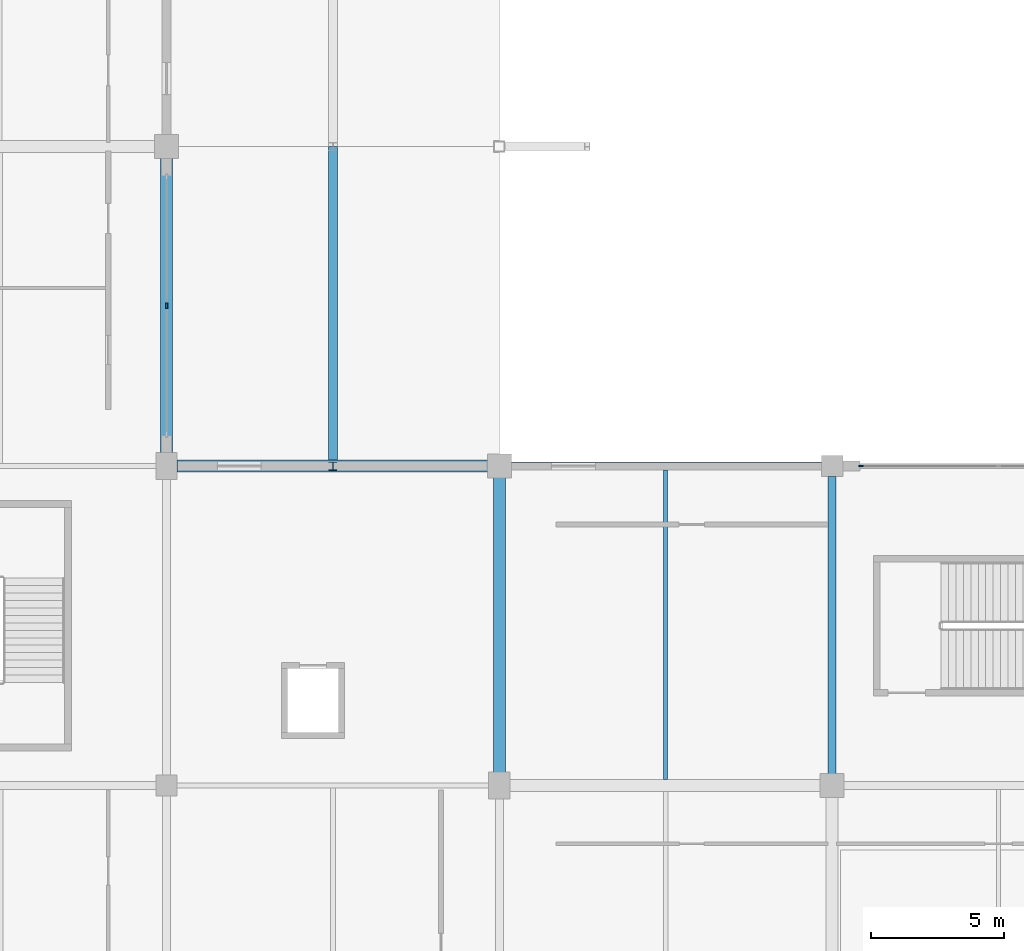
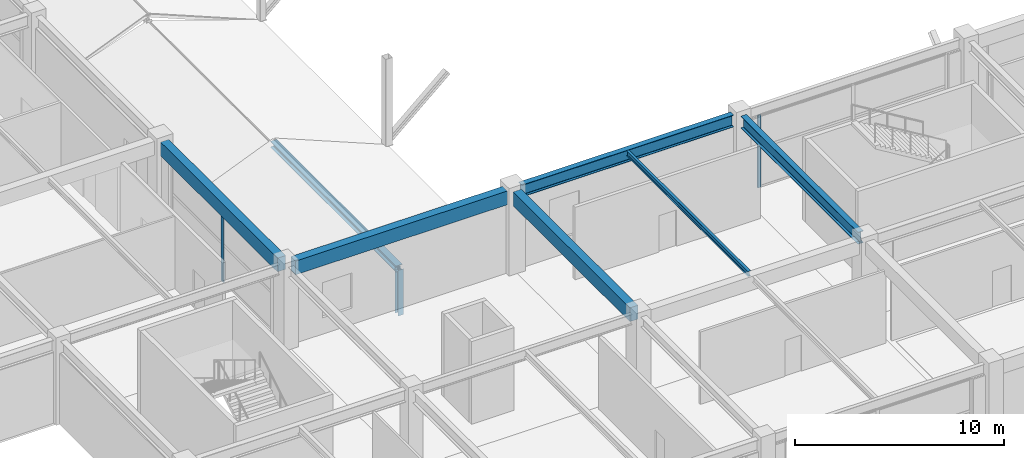
# One storey, part 13 of 116: 6 beams, 4 members, 2 elements without a shape of their own.
"""IFC4 building model written with IfcOpenShell, lengths in metres."""

from ifc_helpers import new_model, si_unit, direction, frame, origin, origin_2d, place, context, subcontext, project, spatial, rectangle, i_section, extrude, material, layer, layer_set, material_profile, profile_set, type_object, element, aggregate, save


model = new_model("IFC4")

# Units and contexts
model_context = context("Model", 3, precision=1e-05, world=origin(), true_north=direction((0.0, 1.0)))
body_context = subcontext(model_context, "Body", "Model", "MODEL_VIEW")
ifc_project = project(units=[si_unit("LENGTHUNIT", "METRE"), si_unit("AREAUNIT", "SQUARE_METRE"), si_unit("VOLUMEUNIT", "CUBIC_METRE"), si_unit("PLANEANGLEUNIT", "RADIAN"), si_unit("MASSUNIT", "GRAM", prefix="KILO")], contexts=[model_context])

# Site, building, storey
site_placement = place(None, origin())
site = spatial("IfcSite", under=ifc_project, at=site_placement, CompositionType="ELEMENT")
building_placement = place(site_placement, origin())
building = spatial("IfcBuilding", under=site, at=building_placement, Name="Kazenohara Klinker Stadium", CompositionType="ELEMENT")
storey_placement = place(building_placement, frame((0.0, 0.0, 10.199951171875)))
storey = spatial("IfcBuildingStorey", under=building, at=storey_placement, Name="L02", CompositionType="ELEMENT", Elevation=10.199951171875)

# Beams
ifc_material_1 = material(Name="Steel S355", Category="steel")
ifc_material_profile_1 = material_profile(ifc_material_1, i_section(OverallWidth=0.14990234375, OverallDepth=0.300048828125, WebThickness=0.006591796875, FlangeThickness=0.009033203125, FilletRadius=0.012939453125, at=origin_2d()), Name="H-300x150x6.5x9")
ifc_profile_set_1 = profile_set([ifc_material_profile_1], Name="Steel S355")
beam_type_1 = type_object("IfcBeamType", Name="BM-JST05", PredefinedType="JOIST", material=ifc_profile_set_1)
beam_1_placement = place(storey_placement, frame((55.25, 24.22509765625, 4.670166015625), z_axis=(0.0, 1.0, 0.0), x_axis=(-1.0, 0.0, 0.0)))
element("IfcBeam", 1, at=beam_1_placement, inside=storey, type_object=beam_type_1, Name="Secondary floor joist SJ05 L02 5/C", PredefinedType="JOIST", context=body_context, shape_type="SweptSolid", body=[
    extrude(i_section(OverallWidth=0.14990234375, OverallDepth=0.300048828125, WebThickness=0.006591796875, FlangeThickness=0.009033203125, FilletRadius=0.012939453125, at=origin_2d()), origin(), (0.0, 0.0, 1.0), 11.625),
])
ifc_material_2 = material(Name="Concrete C40/50", Category="concrete")
ifc_material_profile_2 = material_profile(ifc_material_2, rectangle(XDim=0.449951171875, YDim=0.800048828125, at=origin_2d()), Name="RC-BM-450x800")
ifc_profile_set_2 = profile_set([ifc_material_profile_2], Name="Concrete C40/50")
beam_type_2 = type_object("IfcBeamType", Name="BM-RC03", PredefinedType="BEAM", material=ifc_profile_set_2)
beam_2_placement = place(storey_placement, frame((36.89990234375, 36.0, 4.420166015625), z_axis=(1.0, 0.0, 0.0), x_axis=(0.0, 1.0, 0.0)))
element("IfcBeam", 2, at=beam_2_placement, inside=storey, type_object=beam_type_2, Name="Primary girder BG03 L02 4-5/D", PredefinedType="BEAM", context=body_context, shape_type="SweptSolid", body=[
    extrude(rectangle(XDim=0.449951171875, YDim=0.800048828125, at=origin_2d()), origin(), (0.0, 0.0, 1.0), 11.68017578125),
])
for number, where, z_axis, x_axis, name in (
    (3, (36.5, 36.419921875, 4.420166015625), (0.0, 1.0, 0.0), (-1.0, 0.0, 0.0), "Primary girder BG03 L02 4/D-E"),
    (4, (49.0, 24.419921875, 4.420166015625), (0.0, 1.0, 0.0), (-1.0, 0.0, 0.0), "Primary girder BG03 L02 5/C-D"),
):
    element("IfcBeam", number, at=place(storey_placement, frame(where, z_axis=z_axis, x_axis=x_axis)), inside=storey, type_object=beam_type_2, Name=name, PredefinedType="BEAM", context=body_context, shape_type="SweptSolid", body=[
        extrude(rectangle(XDim=0.449951171875, YDim=0.800048828125, at=origin_2d()), origin(), (0.0, 0.0, 1.0), 11.16015625),
    ])
ifc_material_profile_3 = material_profile(ifc_material_1, i_section(OverallWidth=0.300048828125, OverallDepth=0.699951171875, WebThickness=0.012939453125, FlangeThickness=0.02392578125, FilletRadius=0.02197265625, at=origin_2d()), Name="H-700x300x13x24")
ifc_profile_set_3 = profile_set([ifc_material_profile_3], Name="Steel S355")
beam_type_3 = type_object("IfcBeamType", Name="BM-ST03", PredefinedType="BEAM", material=ifc_profile_set_3)
beam_3_placement = place(storey_placement, frame((49.419921875, 36.0, 4.469970703125), z_axis=(1.0, 0.0, 0.0), x_axis=(0.0, 1.0, 0.0)))
element("IfcBeam", 5, at=beam_3_placement, inside=storey, type_object=beam_type_3, Name="Primary girder SB03 L02 5-6/D", PredefinedType="BEAM", context=body_context, shape_type="SweptSolid", body=[
    extrude(i_section(OverallWidth=0.300048828125, OverallDepth=0.699951171875, WebThickness=0.012939453125, FlangeThickness=0.02392578125, FilletRadius=0.02197265625, at=origin_2d()), origin(), (0.0, 0.0, 1.0), 11.68017578125),
])
beam_4_placement = place(storey_placement, frame((61.5, 24.419921875, 4.469970703125), z_axis=(0.0, 1.0, 0.0), x_axis=(-1.0, 0.0, 0.0)))
element("IfcBeam", 6, at=beam_4_placement, inside=storey, type_object=beam_type_3, Name="Primary girder SB03 L02 6/C-D", PredefinedType="BEAM", context=body_context, shape_type="SweptSolid", body=[
    extrude(i_section(OverallWidth=0.300048828125, OverallDepth=0.699951171875, WebThickness=0.012939453125, FlangeThickness=0.02392578125, FilletRadius=0.02197265625, at=origin_2d()), origin(), (0.0, 0.0, 1.0), 11.18017578125),
])

# Curtain wall, member
ifc_material_3 = material(Name="Anodised aluminium and triple glazing", Category="aluminium")
ifc_layer_1 = layer(ifc_material_3, 0.179931640625)
ifc_layer_set_1 = layer_set([ifc_layer_1], Name="Anodised aluminium and triple glazing")
curtain_wall_type_1 = type_object("IfcCurtainWallType", Name="CW-SYS-02", PredefinedType="USERDEFINED", material=ifc_layer_set_1)
curtain_wall_1_placement = place(storey_placement, origin())
curtain_wall_1 = element("IfcCurtainWall", 7, at=curtain_wall_1_placement, inside=storey, type_object=curtain_wall_type_1, Name="Unitised facade curtain wall CW02 L02 X5-3", ObjectType="UNITISED CURTAIN WALL", PredefinedType="USERDEFINED")
ifc_material_4 = material(Name="Anodised aluminium 6063-T6", Category="aluminium")
ifc_material_profile_4 = material_profile(ifc_material_4, rectangle(XDim=0.06494140625, YDim=0.179931640625, at=origin_2d()), Name="ALU-MUL-65x180")
ifc_profile_set_4 = profile_set([ifc_material_profile_4], Name="Anodised aluminium 6063-T6")
member_type_1 = type_object("IfcMemberType", Name="CW-MUL-180", PredefinedType="MULLION", material=ifc_profile_set_4)
member_1_placement = place(storey_placement, frame((62.58642578125, 36.0, 0.0), z_axis=(0.0, 0.0, 1.0), x_axis=(0.0, 1.0, 0.0)))
member_1 = element("IfcMember", 8, at=member_1_placement, type_object=member_type_1, Name="CW02 mullion 1", PredefinedType="MULLION", context=body_context, shape_type="SweptSolid", body=[
    extrude(rectangle(XDim=0.06494140625, YDim=0.179931640625, at=origin_2d()), origin(), (0.0, 0.0, 1.0), 4.219970703125),
])
aggregate(curtain_wall_1, [member_1])

ifc_layer_2 = layer(ifc_material_3, 0.159912109375)
ifc_layer_set_2 = layer_set([ifc_layer_2], Name="Anodised aluminium and triple glazing")
curtain_wall_type_2 = type_object("IfcCurtainWallType", Name="CW-SYS-01", PredefinedType="USERDEFINED", material=ifc_layer_set_2)
curtain_wall_2_placement = place(storey_placement, origin())
curtain_wall_2 = element("IfcCurtainWall", 9, at=curtain_wall_2_placement, inside=storey, type_object=curtain_wall_type_2, Name="Unitised facade curtain wall CW01 L02 Y3-3", ObjectType="UNITISED CURTAIN WALL", PredefinedType="USERDEFINED")
ifc_material_profile_5 = material_profile(ifc_material_4, rectangle(XDim=0.074951171875, YDim=0.219970703125, at=origin_2d()), Name="ALU-MUL-75x220")
ifc_profile_set_5 = profile_set([ifc_material_profile_5], Name="Anodised aluminium 6063-T6")
member_type_2 = type_object("IfcMemberType", Name="CW-MUL-220", PredefinedType="MULLION", material=ifc_profile_set_5)
member_2_placement = place(storey_placement, frame((36.5, 42.02490234375, 0.0), z_axis=(0.0, 0.0, 1.0), x_axis=(-1.0, 0.0, 0.0)))
member_2 = element("IfcMember", 10, at=member_2_placement, type_object=member_type_2, Name="CW01 mullion 2", PredefinedType="MULLION", context=body_context, shape_type="SweptSolid", body=[
    extrude(rectangle(XDim=0.074951171875, YDim=0.219970703125, at=origin_2d()), origin(), (0.0, 0.0, 1.0), 4.02001953125),
])
aggregate(curtain_wall_2, [member_2])

# Members
ifc_material_profile_6 = material_profile(ifc_material_1, i_section(OverallWidth=0.35009765625, OverallDepth=0.35009765625, WebThickness=0.011962890625, FlangeThickness=0.01904296875, FilletRadius=0.012939453125, at=origin_2d()), Name="H-350x350x12x19")
ifc_profile_set_6 = profile_set([ifc_material_profile_6], Name="Steel S355")
member_type_3 = type_object("IfcMemberType", Name="MEM-CHD02", PredefinedType="CHORD", material=ifc_profile_set_6)
member_3_placement = place(storey_placement, frame((42.75, 36.0, 2.22998046875), z_axis=(0.0, 1.0, 0.0), x_axis=(-1.0, 0.0, 0.0)))
element("IfcMember", 11, at=member_3_placement, inside=storey, type_object=member_type_3, Name="Stepped pavilion gable ridge beam L02 4/D", PredefinedType="CHORD", context=body_context, shape_type="SweptSolid", body=[
    extrude(i_section(OverallWidth=0.35009765625, OverallDepth=0.35009765625, WebThickness=0.011962890625, FlangeThickness=0.01904296875, FilletRadius=0.012939453125, at=origin_2d()), origin(), (0.0, 0.0, 1.0), 12.0),
])
ifc_material_profile_7 = material_profile(ifc_material_1, i_section(OverallWidth=0.300048828125, OverallDepth=0.300048828125, WebThickness=0.010009765625, FlangeThickness=0.014892578125, FilletRadius=0.012939453125, at=origin_2d()), Name="H-300x300x10x15")
ifc_profile_set_7 = profile_set([ifc_material_profile_7], Name="Steel S355")
member_type_4 = type_object("IfcMemberType", Name="MEM-STR01", PredefinedType="STRUT", material=ifc_profile_set_7)
member_4_placement = place(storey_placement, frame((42.75, 36.0, -0.429931640625), z_axis=(0.0, 0.0, 1.0), x_axis=(1.0, 0.0, 0.0)))
element("IfcMember", 12, at=member_4_placement, inside=storey, type_object=member_type_4, Name="Stepped pavilion gable king-post L02 4/D S", PredefinedType="STRUT", context=body_context, shape_type="SweptSolid", body=[
    extrude(i_section(OverallWidth=0.300048828125, OverallDepth=0.300048828125, WebThickness=0.010009765625, FlangeThickness=0.014892578125, FilletRadius=0.012939453125, at=origin_2d()), origin(), (0.0, 0.0, 1.0), 2.659912109375),
])

save(model, "model.ifc")
